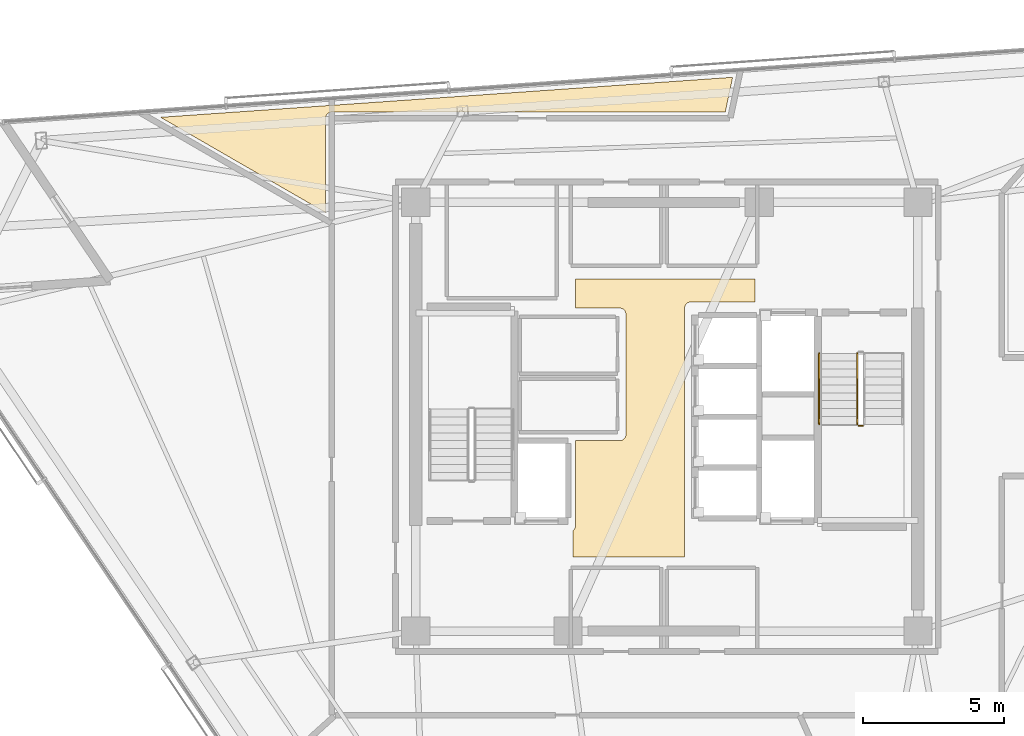
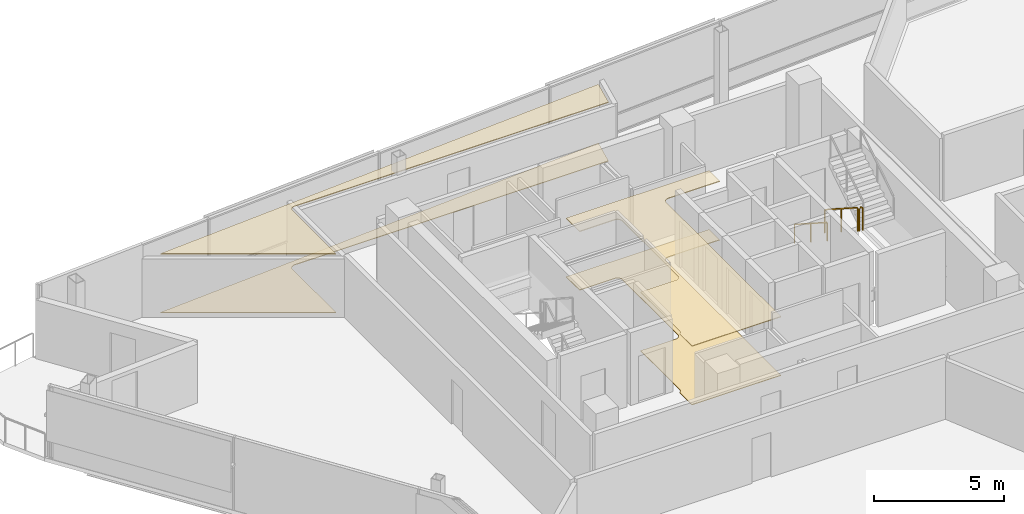
# One storey, part 15 of 16: 4 coverings, 3 railings.
"""IFC4 building model written with IfcOpenShell, lengths in metres."""

from ifc_helpers import new_model, si_unit, direction, frame, origin, origin_2d, place, context, subcontext, project, spatial, polyline, rectangle, outline, extrude, material, layer, layer_set, type_object, element, save


model = new_model("IFC4")

# Units and contexts
model_context = context("Model", 3, precision=1e-05, world=origin(), true_north=direction((0.0, 1.0)))
body_context = subcontext(model_context, "Body", "Model", "MODEL_VIEW")
ifc_project = project(units=[si_unit("LENGTHUNIT", "METRE"), si_unit("AREAUNIT", "SQUARE_METRE"), si_unit("VOLUMEUNIT", "CUBIC_METRE"), si_unit("PLANEANGLEUNIT", "RADIAN"), si_unit("MASSUNIT", "GRAM", prefix="KILO")], contexts=[model_context])

# Site, building, storey
site_placement = place(None, origin())
site = spatial("IfcSite", under=ifc_project, at=site_placement, CompositionType="ELEMENT")
building_placement = place(site_placement, origin())
building = spatial("IfcBuilding", under=site, at=building_placement, Name="Tharavind Bronze Gate", CompositionType="ELEMENT")
storey_placement = place(building_placement, frame((0.0, 0.0, 271.39990234375)))
storey = spatial("IfcBuildingStorey", under=building, at=storey_placement, Name="L70", CompositionType="ELEMENT", Elevation=271.39990234375)

# Coverings
ifc_material_1 = material(Name="Perforated Bronze Acoustic Panel", Category="bronze")
ifc_layer_1 = layer(ifc_material_1, 0.044921875)
ifc_layer_set_1 = layer_set([ifc_layer_1], Name="Perforated Bronze Acoustic Panel")
covering_type_1 = type_object("IfcCoveringType", Name="ACOUSTIC BRONZE BAFFLE CEILING", PredefinedType="CEILING", material=ifc_layer_set_1)
covering_1_placement = place(storey_placement, frame((0.0, 0.0, 2.75)))
element("IfcCovering", 1, at=covering_1_placement, inside=storey, type_object=covering_type_1, Name="L70-C-LL suspended ceiling", PredefinedType="CEILING", context=body_context, shape_type="SweptSolid", body=[
    extrude(outline(polyline([(-3.330078125, -4.97998046875), (0.6298828125, -4.97998046875), (0.6298828125, 3.85009765625), (0.631103515625, 3.87158203125), (0.63427734375, 3.892822265625), (0.639404296875, 3.913818359375), (0.646728515625, 3.93408203125), (0.656005859375, 3.95361328125), (0.6669921875, 3.97216796875), (0.679931640625, 3.989501953125), (0.6943359375, 4.005615234375), (0.71044921875, 4.02001953125), (0.727783203125, 4.032958984375), (0.746337890625, 4.0439453125), (0.765869140625, 4.05322265625), (0.7861328125, 4.060546875), (0.80712890625, 4.06591796875), (0.828369140625, 4.06884765625), (0.85009765625, 4.070068359375), (3.1298828125, 4.070068359375), (3.1298828125, 4.8798828125), (-3.22998046875, 4.8798828125), (-3.22998046875, 3.85009765625), (-1.669921875, 3.85009765625), (-1.6484375, 3.848876953125), (-1.627197265625, 3.845703125), (-1.606201171875, 3.840576171875), (-1.585693359375, 3.833251953125), (-1.56640625, 3.823974609375), (-1.5478515625, 3.81298828125), (-1.530517578125, 3.800048828125), (-1.514404296875, 3.78564453125), (-1.5, 3.76953125), (-1.487060546875, 3.752197265625), (-1.47607421875, 3.733642578125), (-1.466796875, 3.714111328125), (-1.45947265625, 3.69384765625), (-1.4541015625, 3.6728515625), (-1.451171875, 3.651611328125), (-1.449951171875, 3.6298828125), (-1.449951171875, 1.43994140625), (-1.450439453125, 1.429931640625), (-1.449951171875, 1.419921875), (-1.449951171875, -0.6298828125), (-1.451171875, -0.651611328125), (-1.4541015625, -0.6728515625), (-1.45947265625, -0.69384765625), (-1.466796875, -0.714111328125), (-1.47607421875, -0.733642578125), (-1.487060546875, -0.752197265625), (-1.5, -0.76953125), (-1.514404296875, -0.78564453125), (-1.530517578125, -0.800048828125), (-1.5478515625, -0.81298828125), (-1.56640625, -0.823974609375), (-1.585693359375, -0.833251953125), (-1.606201171875, -0.840576171875), (-1.627197265625, -0.845703125), (-1.6484375, -0.848876953125), (-1.669921875, -0.85009765625), (-3.22998046875, -0.85009765625), (-3.22998046875, -3.85009765625), (-3.231201171875, -3.87158203125), (-3.234130859375, -3.892822265625), (-3.239501953125, -3.913818359375), (-3.24658203125, -3.93408203125), (-3.256103515625, -3.95361328125), (-3.26708984375, -3.97216796875), (-3.27978515625, -3.989501953125), (-3.29443359375, -4.005615234375), (-3.310302734375, -4.02001953125), (-3.327880859375, -4.032958984375), (-3.330078125, -4.0341796875), (-3.330078125, -4.97998046875)])), origin(), (0.0, 0.0, 1.0), 0.03515625),
])
ifc_material_2 = material(Name="Engineered Oak & Carpet Tile", Category="wood")
ifc_layer_2 = layer(ifc_material_2, 0.02490234375)
ifc_layer_set_2 = layer_set([ifc_layer_2], Name="Engineered Oak & Carpet Tile")
covering_type_2 = type_object("IfcCoveringType", Name="ENGINEERED TIMBER FLOORING", PredefinedType="FLOORING", material=ifc_layer_set_2)
covering_2_placement = place(storey_placement, origin())
element("IfcCovering", 2, at=covering_2_placement, inside=storey, type_object=covering_type_2, Name="L70-RM-02 floor finish", PredefinedType="FLOORING", context=body_context, shape_type="SweptSolid", body=[
    extrude(outline(polyline([(-12.10009765625, 7.239990234375), (-12.10009765625, 10.579345703125), (-12.099609375, 10.590087890625), (-12.099609375, 10.5908203125), (-12.09765625, 10.6123046875), (-12.093505859375, 10.63330078125), (-12.087158203125, 10.654052734375), (-12.078857421875, 10.674072265625), (-12.068603515625, 10.693115234375), (-12.056640625, 10.7109375), (-12.04296875, 10.727783203125), (-12.027587890625, 10.742919921875), (-12.010986328125, 10.756591796875), (-11.9931640625, 10.768798828125), (-11.97412109375, 10.77880859375), (-11.9541015625, 10.787109375), (-11.933349609375, 10.79345703125), (-11.912353515625, 10.797607421875), (-11.890869140625, 10.7998046875), (-11.89013671875, 10.7998046875), (-11.87939453125, 10.800048828125), (2.07080078125, 10.800048828125), (2.3330078125, 12.03369140625), (-17.94677734375, 10.615478515625), (-12.10009765625, 7.239990234375)])), origin(), (0.0, 0.0, 1.0), 0.025146484375),
])
ifc_material_3 = material(Name="Acoustic Gypsum Board", Category="gypsum")
ifc_layer_3 = layer(ifc_material_3, 0.030029296875)
ifc_layer_set_3 = layer_set([ifc_layer_3], Name="Acoustic Gypsum Board")
covering_type_3 = type_object("IfcCoveringType", Name="GYPSUM SUSPENDED CEILING", PredefinedType="CEILING", material=ifc_layer_set_3)
covering_3_placement = place(storey_placement, frame((0.0, 0.0, 2.75)))
element("IfcCovering", 3, at=covering_3_placement, inside=storey, type_object=covering_type_3, Name="L70-RM-02 suspended ceiling", PredefinedType="CEILING", context=body_context, shape_type="SweptSolid", body=[
    extrude(outline(polyline([(-12.10009765625, 7.239990234375), (-12.10009765625, 10.579345703125), (-12.099609375, 10.590087890625), (-12.099609375, 10.5908203125), (-12.09765625, 10.6123046875), (-12.093505859375, 10.63330078125), (-12.087158203125, 10.654052734375), (-12.078857421875, 10.674072265625), (-12.068603515625, 10.693115234375), (-12.056640625, 10.7109375), (-12.04296875, 10.727783203125), (-12.027587890625, 10.742919921875), (-12.010986328125, 10.756591796875), (-11.9931640625, 10.768798828125), (-11.97412109375, 10.77880859375), (-11.9541015625, 10.787109375), (-11.933349609375, 10.79345703125), (-11.912353515625, 10.797607421875), (-11.890869140625, 10.7998046875), (-11.89013671875, 10.7998046875), (-11.87939453125, 10.800048828125), (2.07080078125, 10.800048828125), (2.3330078125, 12.03369140625), (-17.94677734375, 10.615478515625), (-12.10009765625, 7.239990234375)])), origin(), (0.0, 0.0, 1.0), 0.03515625),
])
ifc_material_4 = material(Name="Honed Travertine Limestone", Category="masonry")
ifc_layer_4 = layer(ifc_material_4, 0.030029296875)
ifc_layer_set_4 = layer_set([ifc_layer_4], Name="Honed Travertine Limestone")
covering_type_4 = type_object("IfcCoveringType", Name="HONED LIMESTONE FLOORING", PredefinedType="FLOORING", material=ifc_layer_set_4)
covering_4_placement = place(storey_placement, origin())
element("IfcCovering", 4, at=covering_4_placement, inside=storey, type_object=covering_type_4, Name="L70-C-LL floor finish", PredefinedType="FLOORING", context=body_context, shape_type="SweptSolid", body=[
    extrude(outline(polyline([(-3.330078125, -4.97998046875), (0.6298828125, -4.97998046875), (0.6298828125, 3.85009765625), (0.631103515625, 3.87158203125), (0.63427734375, 3.892822265625), (0.639404296875, 3.913818359375), (0.646728515625, 3.93408203125), (0.656005859375, 3.95361328125), (0.6669921875, 3.97216796875), (0.679931640625, 3.989501953125), (0.6943359375, 4.005615234375), (0.71044921875, 4.02001953125), (0.727783203125, 4.032958984375), (0.746337890625, 4.0439453125), (0.765869140625, 4.05322265625), (0.7861328125, 4.060546875), (0.80712890625, 4.06591796875), (0.828369140625, 4.06884765625), (0.85009765625, 4.070068359375), (3.1298828125, 4.070068359375), (3.1298828125, 4.8798828125), (-3.22998046875, 4.8798828125), (-3.22998046875, 3.85009765625), (-1.669921875, 3.85009765625), (-1.6484375, 3.848876953125), (-1.627197265625, 3.845703125), (-1.606201171875, 3.840576171875), (-1.585693359375, 3.833251953125), (-1.56640625, 3.823974609375), (-1.5478515625, 3.81298828125), (-1.530517578125, 3.800048828125), (-1.514404296875, 3.78564453125), (-1.5, 3.76953125), (-1.487060546875, 3.752197265625), (-1.47607421875, 3.733642578125), (-1.466796875, 3.714111328125), (-1.45947265625, 3.69384765625), (-1.4541015625, 3.6728515625), (-1.451171875, 3.651611328125), (-1.449951171875, 3.6298828125), (-1.449951171875, 1.43994140625), (-1.450439453125, 1.429931640625), (-1.449951171875, 1.419921875), (-1.449951171875, -0.6298828125), (-1.451171875, -0.651611328125), (-1.4541015625, -0.6728515625), (-1.45947265625, -0.69384765625), (-1.466796875, -0.714111328125), (-1.47607421875, -0.733642578125), (-1.487060546875, -0.752197265625), (-1.5, -0.76953125), (-1.514404296875, -0.78564453125), (-1.530517578125, -0.800048828125), (-1.5478515625, -0.81298828125), (-1.56640625, -0.823974609375), (-1.585693359375, -0.833251953125), (-1.606201171875, -0.840576171875), (-1.627197265625, -0.845703125), (-1.6484375, -0.848876953125), (-1.669921875, -0.85009765625), (-3.22998046875, -0.85009765625), (-3.22998046875, -3.85009765625), (-3.231201171875, -3.87158203125), (-3.234130859375, -3.892822265625), (-3.239501953125, -3.913818359375), (-3.24658203125, -3.93408203125), (-3.256103515625, -3.95361328125), (-3.26708984375, -3.97216796875), (-3.27978515625, -3.989501953125), (-3.29443359375, -4.005615234375), (-3.310302734375, -4.02001953125), (-3.327880859375, -4.032958984375), (-3.330078125, -4.0341796875), (-3.330078125, -4.97998046875)])), origin(), (0.0, 0.0, 1.0), 0.025146484375),
])

# Railings
ifc_material_5 = material(Name="Brushed Bronze Alloy", Category="metal")
railing_type_1 = type_object("IfcRailingType", Name="STAIR BRONZE HANDRAIL 900", PredefinedType="HANDRAIL", material=ifc_material_5)
railing_1_placement = place(storey_placement, frame((5.39990234375, 2.25, 0.18017578125)))
element("IfcRailing", 5, at=railing_1_placement, inside=storey, type_object=railing_type_1, Name="L70 ST2 stair handrail 1", PredefinedType="HANDRAIL", context=body_context, shape_type="SweptSolid", body=[
    extrude(rectangle(XDim=0.048095703125, YDim=0.048095703125, at=origin_2d()), frame((0.0, -0.02685546875, 0.89306640625), z_axis=(0.0, -0.841199657755, 0.540724639528), x_axis=(1.0, 0.0, 0.0)), (0.0, 0.0, 1.0), 2.931640625),
    extrude(rectangle(XDim=0.0400390625, YDim=0.0400390625, at=origin_2d()), origin(), (0.0, 0.0, 1.0), 0.847900390625),
    extrude(rectangle(XDim=0.0400390625, YDim=0.0400390625, at=origin_2d()), frame((0.0, -1.260009765625, 0.81005859375)), (0.0, 0.0, 1.0), 0.847900390625),
    extrude(rectangle(XDim=0.0400390625, YDim=0.0400390625, at=origin_2d()), frame((0.0, -2.52001953125, 1.619873046875)), (0.0, 0.0, 1.0), 0.847900390625),
])
railing_type_2 = type_object("IfcRailingType", Name="STAIR WELL GUARD RAILING 1120", PredefinedType="GUARDRAIL", material=ifc_material_5)
railing_2_placement = place(storey_placement, frame((6.75, 2.25, 0.18017578125)))
element("IfcRailing", 6, at=railing_2_placement, inside=storey, type_object=railing_type_2, Name="L70 ST2 stair guard 1", PredefinedType="GUARDRAIL", context=body_context, shape_type="SweptSolid", body=[
    extrude(rectangle(XDim=0.048095703125, YDim=0.048095703125, at=origin_2d()), frame((0.0, -0.02685546875, 1.11328125), z_axis=(0.0, -0.841199657755, 0.540724639528), x_axis=(1.0, 0.0, 0.0)), (0.0, 0.0, 1.0), 2.931640625),
    extrude(rectangle(XDim=0.0400390625, YDim=0.0400390625, at=origin_2d()), origin(), (0.0, 0.0, 1.0), 1.068115234375),
    extrude(rectangle(XDim=0.0400390625, YDim=0.0400390625, at=origin_2d()), frame((0.0, -1.260009765625, 0.81005859375)), (0.0, 0.0, 1.0), 1.068115234375),
    extrude(rectangle(XDim=0.0400390625, YDim=0.0400390625, at=origin_2d()), frame((0.0, -2.52001953125, 1.619873046875)), (0.0, 0.0, 1.0), 1.068115234375),
])
railing_3_placement = place(storey_placement, frame((6.800048828125, -0.320068359375, 1.800048828125)))
element("IfcRailing", 7, at=railing_3_placement, inside=storey, type_object=railing_type_2, Name="L70 ST2 stair guard 2", PredefinedType="GUARDRAIL", context=body_context, shape_type="SweptSolid", body=[
    extrude(rectangle(XDim=0.048095703125, YDim=0.048095703125, at=origin_2d()), frame((0.031982421875, 0.0, 1.09619140625), z_axis=(1.0, 0.0, 0.0), x_axis=(0.0, 1.0, 0.0)), (0.0, 0.0, 1.0), 0.0859375),
    extrude(rectangle(XDim=0.0400390625, YDim=0.0400390625, at=origin_2d()), origin(), (0.0, 0.0, 1.0), 1.068115234375),
    extrude(rectangle(XDim=0.0400390625, YDim=0.0400390625, at=origin_2d()), frame((0.14990234375, 0.0, 0.0)), (0.0, 0.0, 1.0), 1.068115234375),
])

save(model, "model.ifc")
